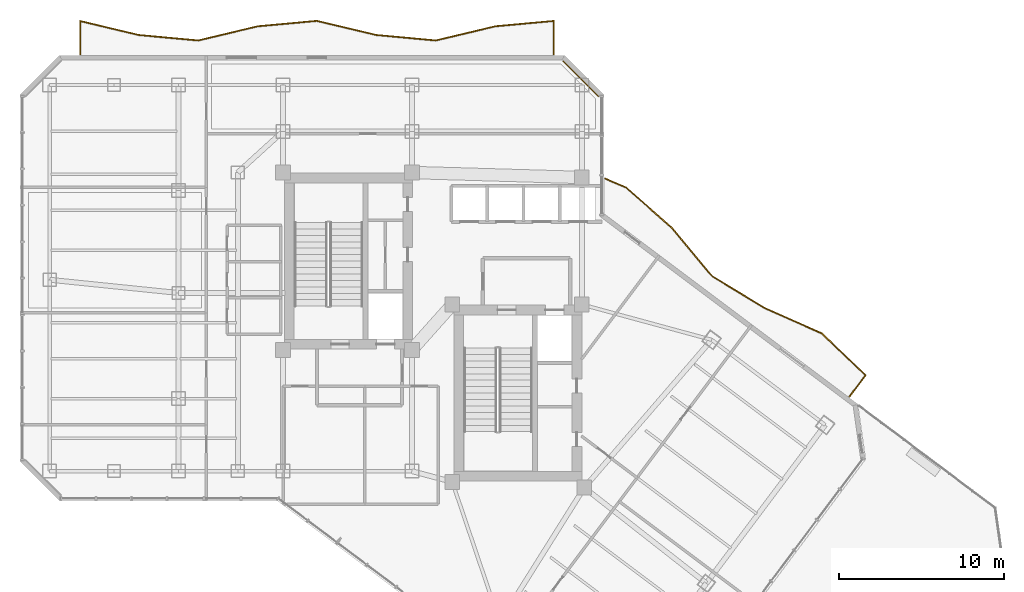
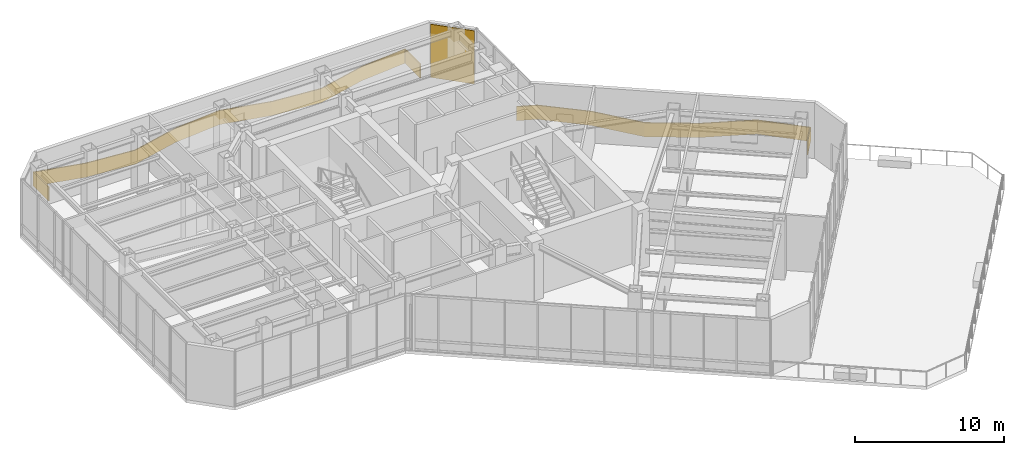
# One storey, part 30 of 30: 2 railings, 1 covering.
"""IFC4 building model written with IfcOpenShell, lengths in metres."""

from ifc_helpers import new_model, si_unit, direction, frame, origin, origin_2d, place, context, subcontext, project, spatial, polyline, rectangle, outline, extrude, material, layer, layer_set, type_object, element, save


model = new_model("IFC4")

# Units and contexts
model_context = context("Model", 3, precision=1e-05, world=origin(), true_north=direction((0.0, 1.0)))
body_context = subcontext(model_context, "Body", "Model", "MODEL_VIEW")
ifc_project = project(units=[si_unit("LENGTHUNIT", "METRE"), si_unit("AREAUNIT", "SQUARE_METRE"), si_unit("VOLUMEUNIT", "CUBIC_METRE"), si_unit("PLANEANGLEUNIT", "RADIAN"), si_unit("MASSUNIT", "GRAM", prefix="KILO")], contexts=[model_context])

# Site, building, storey
site_placement = place(None, origin())
site = spatial("IfcSite", under=ifc_project, at=site_placement, CompositionType="ELEMENT")
building_placement = place(site_placement, origin())
building = spatial("IfcBuilding", under=site, at=building_placement, Name="Hatsunagi Terrace Concourse", CompositionType="ELEMENT")
storey_placement = place(building_placement, frame((0.0, 0.0, 130.050048828125)))
storey = spatial("IfcBuildingStorey", under=building, at=storey_placement, Name="L34", CompositionType="ELEMENT", Elevation=130.050048828125)

# Railings
ifc_material_1 = material(Name="Laminated Glass and Stainless Steel Guard", Category="steel")
ifc_layer_1 = layer(ifc_material_1, 0.070068359375)
ifc_layer_set_1 = layer_set([ifc_layer_1], Name="BalconyGlassGuardRail_1150")
railing_type = type_object("IfcRailingType", Name="BalconyGlassGuardRail_1150", PredefinedType="BALUSTRADE", material=ifc_layer_set_1)
railing_1_placement = place(storey_placement, origin())
element("IfcRailing", 1, at=railing_1_placement, inside=storey, type_object=railing_type, Name="Engawa Balcony Guard GRD-01 L34-BN-1", PredefinedType="BALUSTRADE", context=body_context, shape_type="SweptSolid", body=[
    extrude(outline(polyline([(13.215087890625, 50.449951171875), (13.284912109375, 50.449951171875), (13.284912109375, 52.436767578125), (16.786376953125, 51.602294921875), (20.406494140625, 51.26953125), (24.013671875, 52.13037109375), (27.593505859375, 52.45751953125), (31.186279296875, 51.602294921875), (34.806396484375, 51.26953125), (38.413818359375, 52.13037109375), (41.9150390625, 52.45068359375), (41.9150390625, 50.449951171875), (41.985107421875, 50.449951171875), (41.985107421875, 52.52734375), (38.40234375, 52.19970703125), (34.801513671875, 51.34033203125), (31.19775390625, 51.671630859375), (27.598388671875, 52.5283203125), (24.002197265625, 52.19970703125), (20.401611328125, 51.34033203125), (16.797607421875, 51.671630859375), (13.215087890625, 52.525390625), (13.215087890625, 50.449951171875)])), origin(), (0.0, 0.0, 1.0), 1.14990234375),
])
railing_2_placement = place(storey_placement, origin())
element("IfcRailing", 2, at=railing_2_placement, inside=storey, type_object=railing_type, Name="Engawa Balcony Guard GRD-01 L34-BSE-1", PredefinedType="BALUSTRADE", context=body_context, shape_type="SweptSolid", body=[
    extrude(outline(polyline([(45.059814453125, 42.97216796875), (45.0322265625, 42.90771484375), (46.30712890625, 42.364013671875), (49.079833984375, 39.928466796875), (51.515869140625, 36.998046875), (54.710693359375, 35.058837890625), (58.172119140625, 33.521484375), (60.80322265625, 31.01318359375), (59.842041015625, 29.73095703125), (59.89794921875, 29.68896484375), (60.896728515625, 31.02099609375), (58.2119140625, 33.58056640625), (54.7431640625, 35.12109375), (51.562255859375, 37.052001953125), (49.130126953125, 39.9775390625), (46.344970703125, 42.424072265625), (45.059814453125, 42.97216796875)])), origin(), (0.0, 0.0, 1.0), 1.14990234375),
])

# Covering
ifc_material_2 = material(Name="Unglazed Warm Terracotta Rainscreen Tile", Category="masonry")
ifc_layer_2 = layer(ifc_material_2, 0.044921875)
ifc_layer_set_2 = layer_set([ifc_layer_2], Name="TerracottaRainscreenCladding_45")
covering_type = type_object("IfcCoveringType", Name="TerracottaRainscreenCladding_45", PredefinedType="CLADDING", material=ifc_layer_set_2)
covering_placement = place(storey_placement, frame((43.5859375, 48.986083984375, 0.099853515625), z_axis=(0.0, 0.0, 1.0), x_axis=(0.707106781187, -0.707106781187, 0.0)))
element("IfcCovering", 3, at=covering_placement, inside=storey, type_object=covering_type, Name="Terracotta Rainscreen Cladding L34-12", PredefinedType="CLADDING", context=body_context, shape_type="SweptSolid", body=[
    extrude(rectangle(XDim=3.0380859375, YDim=0.044921875, at=origin_2d()), origin(), (0.0, 0.0, 1.0), 4.35009765625),
])

save(model, "model.ifc")
